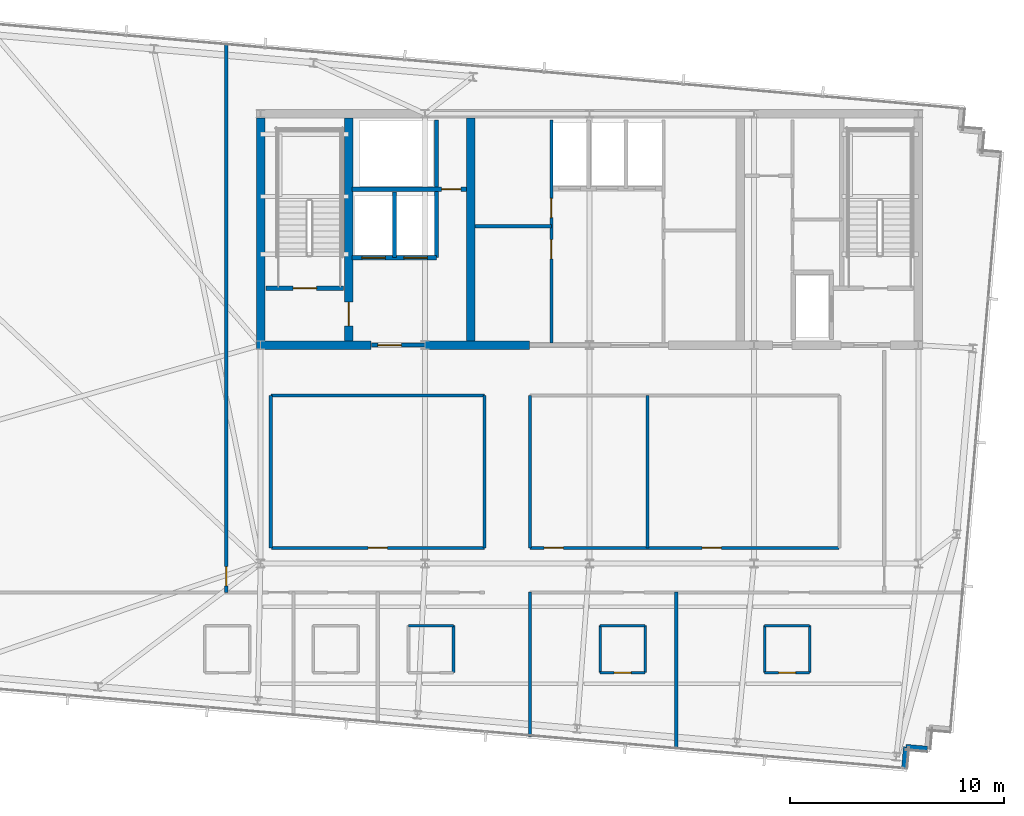
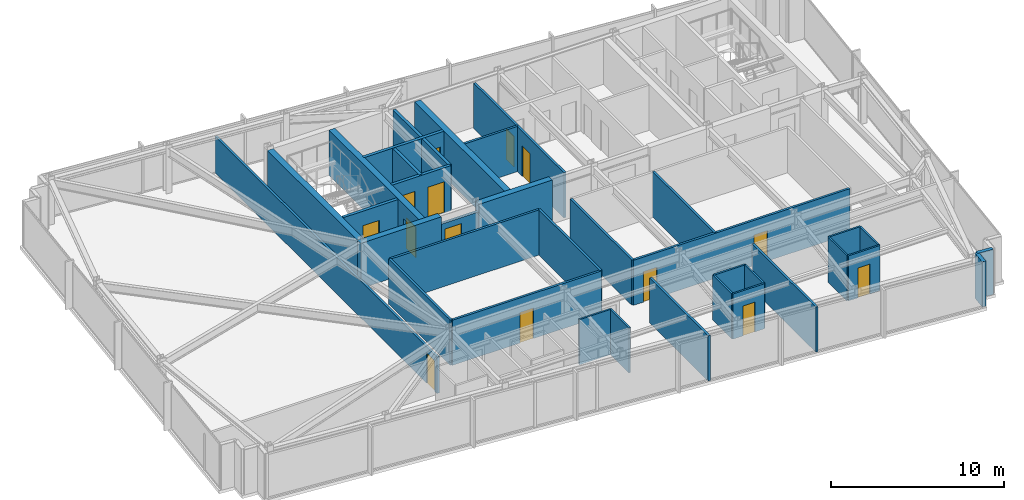
# One storey, part 27 of 33: 35 walls, 14 doors, 14 openings.
"""IFC4 building model written with IfcOpenShell, lengths in metres."""

from ifc_helpers import new_model, si_unit, direction, frame, frame_2d, origin, place, context, subcontext, project, spatial, rectangle, extrude, material, layer, layer_set, type_object, element, fill, save


model = new_model("IFC4")

# Units and contexts
model_context = context("Model", 3, precision=1e-05, world=origin(), true_north=direction((0.0, 1.0)))
body_context = subcontext(model_context, "Body", "Model", "MODEL_VIEW")
ifc_project = project(units=[si_unit("LENGTHUNIT", "METRE"), si_unit("AREAUNIT", "SQUARE_METRE"), si_unit("VOLUMEUNIT", "CUBIC_METRE"), si_unit("PLANEANGLEUNIT", "RADIAN"), si_unit("MASSUNIT", "GRAM", prefix="KILO")], contexts=[model_context])

# Site, building, storey
site_placement = place(None, origin())
site = spatial("IfcSite", under=ifc_project, at=site_placement, CompositionType="ELEMENT")
building_placement = place(site_placement, origin())
building = spatial("IfcBuilding", under=site, at=building_placement, Name="Yelkora Congress Tower", CompositionType="ELEMENT")
storey_placement = place(building_placement, frame((0.0, 0.0, 286.300048828125)))
storey = spatial("IfcBuildingStorey", under=building, at=storey_placement, Name="L80", CompositionType="ELEMENT", Elevation=286.300048828125)

# Walls
ifc_material_1 = material(Name="Concrete C50/60", Category="concrete")
ifc_layer_1 = layer(ifc_material_1, 0.39990234375)
ifc_layer_set_1 = layer_set([ifc_layer_1], Name="Concrete C50/60")
wall_type_1 = type_object("IfcWallType", Name="WALL-CORE-INT-400", PredefinedType="SHEAR", material=ifc_layer_set_1)
wall_1_placement = place(storey_placement, frame((22.840087890625, 35.39990234375, 0.0), z_axis=(0.0, 0.0, 1.0), x_axis=(1.0, 0.0, 0.0)))
element("IfcWall", 1, at=wall_1_placement, inside=storey, type_object=wall_type_1, Name="L80 Rear Core South-West Shear Wall", PredefinedType="SHEAR", context=body_context, shape_type="SweptSolid", body=[
    extrude(rectangle(XDim=5.35986328125, YDim=0.39990234375, at=frame_2d((2.679931640625, 0.0))), origin(), (0.0, 0.0, 1.0), 3.179931640625),
])
wall_2_placement = place(storey_placement, frame((30.719970703125, 35.39990234375, 0.0), z_axis=(0.0, 0.0, 1.0), x_axis=(1.0, 0.0, 0.0)))
element("IfcWall", 2, at=wall_2_placement, inside=storey, type_object=wall_type_1, Name="L80 Rear Core South-Center Shear Pier", PredefinedType="SHEAR", context=body_context, shape_type="SweptSolid", body=[
    extrude(rectangle(XDim=4.880126953125, YDim=0.39990234375, at=frame_2d((2.43994140625, 0.0))), origin(), (0.0, 0.0, 1.0), 3.179931640625),
])
wall_3_placement = place(storey_placement, frame((23.0400390625, 35.60009765625, 0.0), z_axis=(0.0, 0.0, 1.0), x_axis=(0.0, 1.0, 0.0)))
element("IfcWall", 3, at=wall_3_placement, inside=storey, type_object=wall_type_1, Name="L80 Rear Core Cross Shear Wall W", PredefinedType="SHEAR", context=body_context, shape_type="SweptSolid", body=[
    extrude(rectangle(XDim=10.39990234375, YDim=0.39990234375, at=frame_2d((5.199951171875, 0.0))), origin(), (0.0, 0.0, 1.0), 3.179931640625),
])

# Wall, opening, door
wall_4_placement = place(storey_placement, frame((27.14990234375, 35.60009765625, 0.0), z_axis=(0.0, 0.0, 1.0), x_axis=(0.0, 1.0, 0.0)))
wall_4 = element("IfcWall", 4, at=wall_4_placement, inside=storey, type_object=wall_type_1, Name="L80 Rear Core Cross Shear Wall C1", PredefinedType="SHEAR", context=body_context, shape_type="SweptSolid", body=[
    extrude(rectangle(XDim=10.39990234375, YDim=0.39990234375, at=frame_2d((5.199951171875, 0.0))), origin(), (0.0, 0.0, 1.0), 3.179931640625),
])
opening_1_placement = place(wall_4_placement, frame((0.699951171875, 0.0, 0.0)))
opening_1 = element("IfcOpeningElement", 5, at=opening_1_placement, cuts=wall_4, Name="Opening DR-110F9", PredefinedType="OPENING", context=body_context, shape_type="SweptSolid", body=[
    extrude(rectangle(XDim=1.10009765625, YDim=2.14990234375, at=frame_2d((0.550048828125, 1.074951171875))), frame((0.0, 0.2099609375, 0.0), z_axis=(0.0, -1.0, 0.0), x_axis=(1.0, 0.0, 0.0)), (0.0, 0.0, 1.0), 0.419921875),
])
ifc_material_2 = material(Name="Galvanised steel fire door leaf", Category="steel")
door_type_1 = type_object("IfcDoorType", Name="DOOR-FD90-1100", OperationType="NOTDEFINED", PredefinedType="DOOR", material=ifc_material_2)
door_1_placement = place(opening_1_placement, origin())
door_1 = element("IfcDoor", 6, at=door_1_placement, inside=storey, type_object=door_type_1, Name="L80 Firefighting Stair Transfer Door", OperationType="SINGLE_SWING_LEFT", OverallHeight=2.14990234375, OverallWidth=1.10009765625, PredefinedType="DOOR", context=body_context, shape_type="SweptSolid", body=[
    extrude(rectangle(XDim=1.10009765625, YDim=2.14990234375, at=frame_2d((0.550048828125, 1.074951171875))), frame((0.0, 0.02490234375, 0.0), z_axis=(0.0, -1.0, 0.0), x_axis=(1.0, 0.0, 0.0)), (0.0, 0.0, 1.0), 0.050048828125),
])
fill(opening_1, door_1)

# Walls
wall_5_placement = place(storey_placement, frame((32.85009765625, 35.60009765625, 0.0), z_axis=(0.0, 0.0, 1.0), x_axis=(0.0, 1.0, 0.0)))
element("IfcWall", 7, at=wall_5_placement, inside=storey, type_object=wall_type_1, Name="L80 Rear Core Cross Shear Wall C2", PredefinedType="SHEAR", context=body_context, shape_type="SweptSolid", body=[
    extrude(rectangle(XDim=10.39990234375, YDim=0.39990234375, at=frame_2d((5.199951171875, 0.0))), origin(), (0.0, 0.0, 1.0), 3.179931640625),
])
ifc_material_3 = material(Name="Concrete C40/50", Category="concrete")
ifc_layer_2 = layer(ifc_material_3, 0.239990234375)
ifc_layer_set_2 = layer_set([ifc_layer_2], Name="Concrete C40/50")
wall_type_2 = type_object("IfcWallType", Name="WALL-EXT-LIMESTONE-240", PredefinedType="SOLIDWALL", material=ifc_layer_set_2)
for number, where, z_axis, x_axis, name in (
    (8, (54.174560546875, 16.5498046875, 0.0), (0.0, 0.0, 1.0), (-0.996195572005, 0.087145753297, 0.0), "L80 Serrated Corner Limestone Pier 18"),
    (9, (53.17822265625, 16.636962890625, 0.0), (0.0, 0.0, 1.0), (-0.087145753297, -0.996195572005, 0.0), "L80 Serrated Corner Limestone Pier 19"),
):
    element("IfcWall", number, at=place(storey_placement, frame(where, z_axis=z_axis, x_axis=x_axis)), inside=storey, type_object=wall_type_2, Name=name, PredefinedType="SOLIDWALL", context=body_context, shape_type="SweptSolid", body=[
        extrude(rectangle(XDim=1.000244140625, YDim=0.239990234375, at=frame_2d((0.5, 0.0))), origin(), (0.0, 0.0, 1.0), 3.179931640625),
    ])
ifc_material_4 = material(Name="Moisture-resistant gypsum partition", Category="gypsum")
ifc_layer_3 = layer(ifc_material_4, 0.1201171875)
ifc_layer_set_3 = layer_set([ifc_layer_3], Name="Moisture-resistant gypsum partition")
wall_type_3 = type_object("IfcWallType", Name="WALL-INT-120-NR", PredefinedType="PARTITIONING", material=ifc_layer_set_3)
wall_6_placement = place(storey_placement, frame((29.949951171875, 22.300048828125, 0.0), z_axis=(0.0, 0.0, 1.0), x_axis=(1.0, 0.0, 0.0)))
element("IfcWall", 10, at=wall_6_placement, inside=storey, type_object=wall_type_3, Name="L80 Partition Wall 32", PredefinedType="PARTITIONING", context=body_context, shape_type="SweptSolid", body=[
    extrude(rectangle(XDim=2.10009765625, YDim=0.1201171875, at=frame_2d((1.050048828125, 0.0))), origin(), (0.0, 0.0, 1.0), 3.179931640625),
])
wall_7_placement = place(storey_placement, frame((32.050048828125, 20.10009765625, 0.0), z_axis=(0.0, 0.0, 1.0), x_axis=(0.0, 1.0, 0.0)))
element("IfcWall", 11, at=wall_7_placement, inside=storey, type_object=wall_type_3, Name="L80 Partition Wall 34", PredefinedType="PARTITIONING", context=body_context, shape_type="SweptSolid", body=[
    extrude(rectangle(XDim=2.199951171875, YDim=0.1201171875, at=frame_2d((1.10009765625, 0.0))), origin(), (0.0, 0.0, 1.0), 3.179931640625),
])
wall_8_placement = place(storey_placement, frame((38.89990234375, 22.300048828125, 0.0), z_axis=(0.0, 0.0, 1.0), x_axis=(1.0, 0.0, 0.0)))
element("IfcWall", 12, at=wall_8_placement, inside=storey, type_object=wall_type_3, Name="L80 Partition Wall 37", PredefinedType="PARTITIONING", context=body_context, shape_type="SweptSolid", body=[
    extrude(rectangle(XDim=2.10009765625, YDim=0.1201171875, at=frame_2d((1.050048828125, 0.0))), origin(), (0.0, 0.0, 1.0), 3.179931640625),
])
for number, where, z_axis, x_axis, name in (
    (13, (38.89990234375, 20.10009765625, 0.0), (0.0, 0.0, 1.0), (0.0, 1.0, 0.0), "L80 Partition Wall 38"),
    (14, (41.0, 20.10009765625, 0.0), (0.0, 0.0, 1.0), (0.0, 1.0, 0.0), "L80 Partition Wall 39"),
):
    element("IfcWall", number, at=place(storey_placement, frame(where, z_axis=z_axis, x_axis=x_axis)), inside=storey, type_object=wall_type_3, Name=name, PredefinedType="PARTITIONING", context=body_context, shape_type="SweptSolid", body=[
        extrude(rectangle(XDim=2.199951171875, YDim=0.1201171875, at=frame_2d((1.10009765625, 0.0))), origin(), (0.0, 0.0, 1.0), 3.179931640625),
    ])

# Wall, opening, door
wall_9_placement = place(storey_placement, frame((38.89990234375, 20.10009765625, 0.0), z_axis=(0.0, 0.0, 1.0), x_axis=(1.0, 0.0, 0.0)))
wall_9 = element("IfcWall", 15, at=wall_9_placement, inside=storey, type_object=wall_type_3, Name="L80 Partition Wall 40", PredefinedType="PARTITIONING", context=body_context, shape_type="SweptSolid", body=[
    extrude(rectangle(XDim=2.10009765625, YDim=0.1201171875, at=frame_2d((1.050048828125, 0.0))), origin(), (0.0, 0.0, 1.0), 3.179931640625),
])
opening_2_placement = place(wall_9_placement, frame((0.64990234375, 0.0, 0.0)))
opening_2 = element("IfcOpeningElement", 16, at=opening_2_placement, cuts=wall_9, Name="Opening DR-080B", PredefinedType="OPENING", context=body_context, shape_type="SweptSolid", body=[
    extrude(rectangle(XDim=0.800048828125, YDim=2.10009765625, at=frame_2d((0.39990234375, 1.050048828125))), frame((0.0, 0.070068359375, 0.0), z_axis=(0.0, -1.0, 0.0), x_axis=(1.0, 0.0, 0.0)), (0.0, 0.0, 1.0), 0.14013671875),
])
ifc_material_5 = material(Name="Moisture-sealed en-suite timber door", Category="wood")
door_type_2 = type_object("IfcDoorType", Name="DOOR-BATH-800", OperationType="NOTDEFINED", PredefinedType="DOOR", material=ifc_material_5)
door_2_placement = place(opening_2_placement, origin())
door_2 = element("IfcDoor", 17, at=door_2_placement, inside=storey, type_object=door_type_2, Name="L80 En-suite Door 5", OperationType="SINGLE_SWING_LEFT", OverallHeight=2.10009765625, OverallWidth=0.800048828125, PredefinedType="DOOR", context=body_context, shape_type="SweptSolid", body=[
    extrude(rectangle(XDim=0.800048828125, YDim=2.10009765625, at=frame_2d((0.39990234375, 1.050048828125))), frame((0.0, 0.02490234375, 0.0), z_axis=(0.0, -1.0, 0.0), x_axis=(1.0, 0.0, 0.0)), (0.0, 0.0, 1.0), 0.050048828125),
])
fill(opening_2, door_2)

# Walls
wall_10_placement = place(storey_placement, frame((46.580078125, 22.300048828125, 0.0), z_axis=(0.0, 0.0, 1.0), x_axis=(1.0, 0.0, 0.0)))
element("IfcWall", 18, at=wall_10_placement, inside=storey, type_object=wall_type_3, Name="L80 Partition Wall 42", PredefinedType="PARTITIONING", context=body_context, shape_type="SweptSolid", body=[
    extrude(rectangle(XDim=2.099853515625, YDim=0.1201171875, at=frame_2d((1.0498046875, 0.0))), origin(), (0.0, 0.0, 1.0), 3.179931640625),
])
for number, where, z_axis, x_axis, name in (
    (19, (46.580078125, 20.10009765625, 0.0), (0.0, 0.0, 1.0), (0.0, 1.0, 0.0), "L80 Partition Wall 43"),
    (20, (48.679931640625, 20.10009765625, 0.0), (0.0, 0.0, 1.0), (0.0, 1.0, 0.0), "L80 Partition Wall 44"),
):
    element("IfcWall", number, at=place(storey_placement, frame(where, z_axis=z_axis, x_axis=x_axis)), inside=storey, type_object=wall_type_3, Name=name, PredefinedType="PARTITIONING", context=body_context, shape_type="SweptSolid", body=[
        extrude(rectangle(XDim=2.199951171875, YDim=0.1201171875, at=frame_2d((1.10009765625, 0.0))), origin(), (0.0, 0.0, 1.0), 3.179931640625),
    ])

# Wall, opening, door
wall_11_placement = place(storey_placement, frame((46.580078125, 20.10009765625, 0.0), z_axis=(0.0, 0.0, 1.0), x_axis=(1.0, 0.0, 0.0)))
wall_11 = element("IfcWall", 21, at=wall_11_placement, inside=storey, type_object=wall_type_3, Name="L80 Partition Wall 45", PredefinedType="PARTITIONING", context=body_context, shape_type="SweptSolid", body=[
    extrude(rectangle(XDim=2.099853515625, YDim=0.1201171875, at=frame_2d((1.0498046875, 0.0))), origin(), (0.0, 0.0, 1.0), 3.179931640625),
])
opening_3_placement = place(wall_11_placement, frame((0.64990234375, 0.0, 0.0)))
opening_3 = element("IfcOpeningElement", 22, at=opening_3_placement, cuts=wall_11, Name="Opening DR-080B", PredefinedType="OPENING", context=body_context, shape_type="SweptSolid", body=[
    extrude(rectangle(XDim=0.800048828125, YDim=2.10009765625, at=frame_2d((0.39990234375, 1.050048828125))), frame((0.0, 0.070068359375, 0.0), z_axis=(0.0, -1.0, 0.0), x_axis=(1.0, 0.0, 0.0)), (0.0, 0.0, 1.0), 0.14013671875),
])
door_3_placement = place(opening_3_placement, origin())
door_3 = element("IfcDoor", 23, at=door_3_placement, inside=storey, type_object=door_type_2, Name="L80 En-suite Door 6", OperationType="SINGLE_SWING_RIGHT", OverallHeight=2.10009765625, OverallWidth=0.800048828125, PredefinedType="DOOR", context=body_context, shape_type="SweptSolid", body=[
    extrude(rectangle(XDim=0.800048828125, YDim=2.10009765625, at=frame_2d((0.39990234375, 1.050048828125))), frame((0.0, 0.02490234375, 0.0), z_axis=(0.0, -1.0, 0.0), x_axis=(1.0, 0.0, 0.0)), (0.0, 0.0, 1.0), 0.050048828125),
])
fill(opening_3, door_3)

ifc_material_6 = material(Name="Acoustic metal-stud gypsum partition", Category="gypsum")
ifc_layer_4 = layer(ifc_material_6, 0.14990234375)
ifc_layer_set_4 = layer_set([ifc_layer_4], Name="Acoustic metal-stud gypsum partition")
wall_type_4 = type_object("IfcWallType", Name="WALL-INT-150-NR", PredefinedType="PARTITIONING", material=ifc_layer_set_4)
wall_12_placement = place(storey_placement, frame((21.43994140625, 23.85009765625, 0.0), z_axis=(0.0, 0.0, 1.0), x_axis=(0.0, 1.0, 0.0)))
wall_12 = element("IfcWall", 24, at=wall_12_placement, inside=storey, type_object=wall_type_4, Name="L80 Partition Wall 49", PredefinedType="PARTITIONING", context=body_context, shape_type="SweptSolid", body=[
    extrude(rectangle(XDim=25.658203125, YDim=0.14990234375, at=frame_2d((12.8291015625, 0.0))), origin(), (0.0, 0.0, 1.0), 2.574951171875),
])
opening_4_placement = place(wall_12_placement, frame((0.300048828125, 0.0, 0.0)))
opening_4 = element("IfcOpeningElement", 25, at=opening_4_placement, cuts=wall_12, Name="Opening DR-090N", PredefinedType="OPENING", context=body_context, shape_type="SweptSolid", body=[
    extrude(rectangle(XDim=0.89990234375, YDim=2.14990234375, at=frame_2d((0.449951171875, 1.074951171875))), frame((0.0, 0.0849609375, 0.0), z_axis=(0.0, -1.0, 0.0), x_axis=(1.0, 0.0, 0.0)), (0.0, 0.0, 1.0), 0.169921875),
])
ifc_material_7 = material(Name="Moisture-resistant laminate door leaf", Category="wood")
door_type_3 = type_object("IfcDoorType", Name="DOOR-INT-900", OperationType="NOTDEFINED", PredefinedType="DOOR", material=ifc_material_7)
door_4_placement = place(opening_4_placement, origin())
door_4 = element("IfcDoor", 26, at=door_4_placement, inside=storey, type_object=door_type_3, Name="L80 W Wing Door", OperationType="SINGLE_SWING_RIGHT", OverallHeight=2.14990234375, OverallWidth=0.89990234375, PredefinedType="DOOR", context=body_context, shape_type="SweptSolid", body=[
    extrude(rectangle(XDim=0.89990234375, YDim=2.14990234375, at=frame_2d((0.449951171875, 1.074951171875))), frame((0.0, 0.02490234375, 0.0), z_axis=(0.0, -1.0, 0.0), x_axis=(1.0, 0.0, 0.0)), (0.0, 0.0, 1.0), 0.050048828125),
])
fill(opening_4, door_4)

# Walls
for number, where, z_axis, x_axis, name in (
    (27, (23.52001953125, 25.929931640625, 0.0), (0.0, 0.0, 1.0), (0.0, 1.0, 0.0), "L80 Partition Wall 51"),
    (28, (33.5, 25.929931640625, 0.0), (0.0, 0.0, 1.0), (0.0, 1.0, 0.0), "L80 Partition Wall 53"),
    (29, (35.6201171875, 25.929931640625, 0.0), (0.0, 0.0, 1.0), (0.0, 1.0, 0.0), "L80 Partition Wall 54"),
):
    element("IfcWall", number, at=place(storey_placement, frame(where, z_axis=z_axis, x_axis=x_axis)), inside=storey, type_object=wall_type_4, Name=name, PredefinedType="PARTITIONING", context=body_context, shape_type="SweptSolid", body=[
        extrude(rectangle(XDim=7.1201171875, YDim=0.14990234375, at=frame_2d((3.56005859375, 0.0))), origin(), (0.0, 0.0, 1.0), 3.179931640625),
    ])
wall_13_placement = place(storey_placement, frame((23.52001953125, 33.050048828125, 0.0), z_axis=(0.0, 0.0, 1.0), x_axis=(1.0, 0.0, 0.0)))
element("IfcWall", 30, at=wall_13_placement, inside=storey, type_object=wall_type_4, Name="L80 Partition Wall 55", PredefinedType="PARTITIONING", context=body_context, shape_type="SweptSolid", body=[
    extrude(rectangle(XDim=9.97998046875, YDim=0.14990234375, at=frame_2d((4.989990234375, 0.0))), origin(), (0.0, 0.0, 1.0), 3.179931640625),
])

# Wall, opening, door
wall_14_placement = place(storey_placement, frame((23.5400390625, 25.929931640625, 0.0), z_axis=(0.0, 0.0, 1.0), x_axis=(1.0, 0.0, 0.0)))
wall_14 = element("IfcWall", 31, at=wall_14_placement, inside=storey, type_object=wall_type_4, Name="L80 Partition Wall 57", PredefinedType="PARTITIONING", context=body_context, shape_type="SweptSolid", body=[
    extrude(rectangle(XDim=9.949951171875, YDim=0.14990234375, at=frame_2d((4.97509765625, 0.0))), origin(), (0.0, 0.0, 1.0), 3.179931640625),
])
opening_5_placement = place(wall_14_placement, frame((4.52490234375, 0.0, 0.0)))
opening_5 = element("IfcOpeningElement", 32, at=opening_5_placement, cuts=wall_14, Name="Opening DR-090N", PredefinedType="OPENING", context=body_context, shape_type="SweptSolid", body=[
    extrude(rectangle(XDim=0.89990234375, YDim=2.14990234375, at=frame_2d((0.449951171875, 1.074951171875))), frame((0.0, 0.0849609375, 0.0), z_axis=(0.0, -1.0, 0.0), x_axis=(1.0, 0.0, 0.0)), (0.0, 0.0, 1.0), 0.169921875),
])
door_5_placement = place(opening_5_placement, origin())
door_5 = element("IfcDoor", 33, at=door_5_placement, inside=storey, type_object=door_type_3, Name="L80 Housekeeping & Linen Room Door", OperationType="SINGLE_SWING_RIGHT", OverallHeight=2.14990234375, OverallWidth=0.89990234375, PredefinedType="DOOR", context=body_context, shape_type="SweptSolid", body=[
    extrude(rectangle(XDim=0.89990234375, YDim=2.14990234375, at=frame_2d((0.449951171875, 1.074951171875))), frame((0.0, 0.02490234375, 0.0), z_axis=(0.0, -1.0, 0.0), x_axis=(1.0, 0.0, 0.0)), (0.0, 0.0, 1.0), 0.050048828125),
])
fill(opening_5, door_5)

# Wall
wall_15_placement = place(storey_placement, frame((41.113037109375, 25.929931640625, 0.0), z_axis=(0.0, 0.0, 1.0), x_axis=(0.0, 1.0, 0.0)))
element("IfcWall", 34, at=wall_15_placement, inside=storey, type_object=wall_type_4, Name="L80 Partition Wall 58", PredefinedType="PARTITIONING", context=body_context, shape_type="SweptSolid", body=[
    extrude(rectangle(XDim=7.1201171875, YDim=0.14990234375, at=frame_2d((3.56005859375, 0.0))), origin(), (0.0, 0.0, 1.0), 3.179931640625),
])

# Wall, openings, doors
wall_16_placement = place(storey_placement, frame((35.6298828125, 25.929931640625, 0.0), z_axis=(0.0, 0.0, 1.0), x_axis=(1.0, 0.0, 0.0)))
wall_16 = element("IfcWall", 35, at=wall_16_placement, inside=storey, type_object=wall_type_4, Name="L80 Partition Wall 59", PredefinedType="PARTITIONING", context=body_context, shape_type="SweptSolid", body=[
    extrude(rectangle(XDim=14.43017578125, YDim=0.14990234375, at=frame_2d((7.215087890625, 0.0))), origin(), (0.0, 0.0, 1.0), 3.179931640625),
])
opening_6_placement = place(wall_16_placement, frame((0.64990234375, 0.0, 0.0)))
opening_6 = element("IfcOpeningElement", 36, at=opening_6_placement, cuts=wall_16, Name="Opening DR-090N", PredefinedType="OPENING", context=body_context, shape_type="SweptSolid", body=[
    extrude(rectangle(XDim=0.89990234375, YDim=2.14990234375, at=frame_2d((0.449951171875, 1.074951171875))), frame((0.0, 0.0849609375, 0.0), z_axis=(0.0, -1.0, 0.0), x_axis=(1.0, 0.0, 0.0)), (0.0, 0.0, 1.0), 0.169921875),
])
opening_7_placement = place(wall_16_placement, frame((8.030517578125, 0.0, 0.0)))
opening_7 = element("IfcOpeningElement", 37, at=opening_7_placement, cuts=wall_16, Name="Opening DR-090N", PredefinedType="OPENING", context=body_context, shape_type="SweptSolid", body=[
    extrude(rectangle(XDim=0.89990234375, YDim=2.14990234375, at=frame_2d((0.449951171875, 1.074951171875))), frame((0.0, 0.0849609375, 0.0), z_axis=(0.0, -1.0, 0.0), x_axis=(1.0, 0.0, 0.0)), (0.0, 0.0, 1.0), 0.169921875),
])
door_6_placement = place(opening_6_placement, origin())
door_6 = element("IfcDoor", 38, at=door_6_placement, inside=storey, type_object=door_type_3, Name="L80 Executive Library Door", OperationType="SINGLE_SWING_LEFT", OverallHeight=2.14990234375, OverallWidth=0.89990234375, PredefinedType="DOOR", context=body_context, shape_type="SweptSolid", body=[
    extrude(rectangle(XDim=0.89990234375, YDim=2.14990234375, at=frame_2d((0.449951171875, 1.074951171875))), frame((0.0, 0.02490234375, 0.0), z_axis=(0.0, -1.0, 0.0), x_axis=(1.0, 0.0, 0.0)), (0.0, 0.0, 1.0), 0.050048828125),
])
fill(opening_6, door_6)
door_7_placement = place(opening_7_placement, origin())
door_7 = element("IfcDoor", 39, at=door_7_placement, inside=storey, type_object=door_type_3, Name="L80 Delegate Kiosk Door", OperationType="SINGLE_SWING_RIGHT", OverallHeight=2.14990234375, OverallWidth=0.89990234375, PredefinedType="DOOR", context=body_context, shape_type="SweptSolid", body=[
    extrude(rectangle(XDim=0.89990234375, YDim=2.14990234375, at=frame_2d((0.449951171875, 1.074951171875))), frame((0.0, 0.02490234375, 0.0), z_axis=(0.0, -1.0, 0.0), x_axis=(1.0, 0.0, 0.0)), (0.0, 0.0, 1.0), 0.050048828125),
])
fill(opening_7, door_7)

# Wall
ifc_material_8 = material(Name="Twin-stud fire-rated gypsum partition", Category="gypsum")
ifc_layer_5 = layer(ifc_material_8, 0.14990234375)
ifc_layer_set_5 = layer_set([ifc_layer_5], Name="Twin-stud fire-rated gypsum partition")
wall_type_5 = type_object("IfcWallType", Name="WALL-INT-150-R60", PredefinedType="PARTITIONING", material=ifc_layer_set_5)
wall_17_placement = place(storey_placement, frame((33.050048828125, 40.949951171875, 0.0), z_axis=(0.0, 0.0, 1.0), x_axis=(1.0, 0.0, 0.0)))
element("IfcWall", 40, at=wall_17_placement, inside=storey, type_object=wall_type_5, Name="L80 Partition Wall 11", PredefinedType="PARTITIONING", context=body_context, shape_type="SweptSolid", body=[
    extrude(rectangle(XDim=3.570068359375, YDim=0.14990234375, at=frame_2d((1.78515625, 0.0))), origin(), (0.0, 0.0, 1.0), 3.179931640625),
])

# Wall, openings, doors
wall_18_placement = place(storey_placement, frame((36.6201171875, 35.5, 0.0), z_axis=(0.0, 0.0, 1.0), x_axis=(0.0, 1.0, 0.0)))
wall_18 = element("IfcWall", 41, at=wall_18_placement, inside=storey, type_object=wall_type_5, Name="L80 Partition Wall 12", PredefinedType="PARTITIONING", context=body_context, shape_type="SweptSolid", body=[
    extrude(rectangle(XDim=10.419921875, YDim=0.14990234375, at=frame_2d((5.2099609375, 0.0))), origin(), (0.0, 0.0, 1.0), 3.179931640625),
])
opening_8_placement = place(wall_18_placement, frame((3.919921875, 0.0, 0.0)))
opening_8 = element("IfcOpeningElement", 42, at=opening_8_placement, cuts=wall_18, Name="Opening DR-090F6", PredefinedType="OPENING", context=body_context, shape_type="SweptSolid", body=[
    extrude(rectangle(XDim=0.89990234375, YDim=2.14990234375, at=frame_2d((0.449951171875, 1.074951171875))), frame((0.0, 0.0849609375, 0.0), z_axis=(0.0, -1.0, 0.0), x_axis=(1.0, 0.0, 0.0)), (0.0, 0.0, 1.0), 0.169921875),
])
opening_9_placement = place(wall_18_placement, frame((5.85009765625, 0.0, 0.0)))
opening_9 = element("IfcOpeningElement", 43, at=opening_9_placement, cuts=wall_18, Name="Opening DR-090F6", PredefinedType="OPENING", context=body_context, shape_type="SweptSolid", body=[
    extrude(rectangle(XDim=0.89990234375, YDim=2.14990234375, at=frame_2d((0.449951171875, 1.074951171875))), frame((0.0, 0.0849609375, 0.0), z_axis=(0.0, -1.0, 0.0), x_axis=(1.0, 0.0, 0.0)), (0.0, 0.0, 1.0), 0.169921875),
])
ifc_material_9 = material(Name="Painted steel riser fire door leaf", Category="steel")
door_type_4 = type_object("IfcDoorType", Name="DOOR-FD60-900", OperationType="NOTDEFINED", PredefinedType="DOOR", material=ifc_material_9)
door_8_placement = place(opening_8_placement, origin())
door_8 = element("IfcDoor", 44, at=door_8_placement, inside=storey, type_object=door_type_4, Name="L80 Telecom Store Door", OperationType="SINGLE_SWING_RIGHT", OverallHeight=2.14990234375, OverallWidth=0.89990234375, PredefinedType="DOOR", context=body_context, shape_type="SweptSolid", body=[
    extrude(rectangle(XDim=0.89990234375, YDim=2.14990234375, at=frame_2d((0.449951171875, 1.074951171875))), frame((0.0, 0.02490234375, 0.0), z_axis=(0.0, -1.0, 0.0), x_axis=(1.0, 0.0, 0.0)), (0.0, 0.0, 1.0), 0.050048828125),
])
fill(opening_8, door_8)
door_9_placement = place(opening_9_placement, origin())
door_9 = element("IfcDoor", 45, at=door_9_placement, inside=storey, type_object=door_type_4, Name="L80 Archive Store Door", OperationType="SINGLE_SWING_LEFT", OverallHeight=2.14990234375, OverallWidth=0.89990234375, PredefinedType="DOOR", context=body_context, shape_type="SweptSolid", body=[
    extrude(rectangle(XDim=0.89990234375, YDim=2.14990234375, at=frame_2d((0.449951171875, 1.074951171875))), frame((0.0, 0.02490234375, 0.0), z_axis=(0.0, -1.0, 0.0), x_axis=(1.0, 0.0, 0.0)), (0.0, 0.0, 1.0), 0.050048828125),
])
fill(opening_9, door_9)

# Walls
wall_19_placement = place(storey_placement, frame((35.6201171875, 17.10888671875, 0.0), z_axis=(0.0, 0.0, 1.0), x_axis=(0.0, 1.0, 0.0)))
element("IfcWall", 46, at=wall_19_placement, inside=storey, type_object=wall_type_5, Name="L80 Partition Wall 41", PredefinedType="PARTITIONING", context=body_context, shape_type="SweptSolid", body=[
    extrude(rectangle(XDim=6.76123046875, YDim=0.14990234375, at=frame_2d((3.380615234375, 0.0))), origin(), (0.0, 0.0, 1.0), 3.179931640625),
])
wall_20_placement = place(storey_placement, frame((42.4560546875, 16.510986328125, 0.0), z_axis=(0.0, 0.0, 1.0), x_axis=(0.0, 1.0, 0.0)))
element("IfcWall", 47, at=wall_20_placement, inside=storey, type_object=wall_type_5, Name="L80 Partition Wall 46", PredefinedType="PARTITIONING", context=body_context, shape_type="SweptSolid", body=[
    extrude(rectangle(XDim=7.359130859375, YDim=0.14990234375, at=frame_2d((3.6796875, 0.0))), origin(), (0.0, 0.0, 1.0), 3.179931640625),
])

# Wall, opening, door
ifc_material_10 = material(Name="Autoclaved aerated concrete blockwork", Category="masonry")
ifc_layer_6 = layer(ifc_material_10, 0.199951171875)
ifc_layer_set_6 = layer_set([ifc_layer_6], Name="Autoclaved aerated concrete blockwork")
wall_type_6 = type_object("IfcWallType", Name="WALL-INT-200-R120", PredefinedType="PARTITIONING", material=ifc_layer_set_6)
wall_21_placement = place(storey_placement, frame((23.300048828125, 38.050048828125, 0.0), z_axis=(0.0, 0.0, 1.0), x_axis=(1.0, 0.0, 0.0)))
wall_21 = element("IfcWall", 48, at=wall_21_placement, inside=storey, type_object=wall_type_6, Name="L80 Stair ST-01 Enclosure Wall", PredefinedType="PARTITIONING", context=body_context, shape_type="SweptSolid", body=[
    extrude(rectangle(XDim=3.619873046875, YDim=0.199951171875, at=frame_2d((1.81005859375, 0.0))), origin(), (0.0, 0.0, 1.0), 3.179931640625),
])
opening_10_placement = place(wall_21_placement, frame((1.260009765625, 0.0, 0.0)))
opening_10 = element("IfcOpeningElement", 49, at=opening_10_placement, cuts=wall_21, Name="Opening DR-110F9", PredefinedType="OPENING", context=body_context, shape_type="SweptSolid", body=[
    extrude(rectangle(XDim=1.10009765625, YDim=2.14990234375, at=frame_2d((0.550048828125, 1.074951171875))), frame((0.0, 0.10986328125, 0.0), z_axis=(0.0, -1.0, 0.0), x_axis=(1.0, 0.0, 0.0)), (0.0, 0.0, 1.0), 0.219970703125),
])
door_10_placement = place(opening_10_placement, origin())
door_10 = element("IfcDoor", 50, at=door_10_placement, inside=storey, type_object=door_type_1, Name="L80 Stair ST-01 Entry Door", OperationType="SINGLE_SWING_LEFT", OverallHeight=2.14990234375, OverallWidth=1.10009765625, PredefinedType="DOOR", context=body_context, shape_type="SweptSolid", body=[
    extrude(rectangle(XDim=1.10009765625, YDim=2.14990234375, at=frame_2d((0.550048828125, 1.074951171875))), frame((0.0, 0.02490234375, 0.0), z_axis=(0.0, -1.0, 0.0), x_axis=(1.0, 0.0, 0.0)), (0.0, 0.0, 1.0), 0.050048828125),
])
fill(opening_10, door_10)

wall_22_placement = place(storey_placement, frame((28.219970703125, 35.39990234375, 0.0), z_axis=(0.0, 0.0, 1.0), x_axis=(1.0, 0.0, 0.0)))
wall_22 = element("IfcWall", 51, at=wall_22_placement, inside=storey, type_object=wall_type_6, Name="L80 Firefighting Lobby South Wall", PredefinedType="PARTITIONING", context=body_context, shape_type="SweptSolid", body=[
    extrude(rectangle(XDim=2.5, YDim=0.199951171875, at=frame_2d((1.25, 0.0))), origin(), (0.0, 0.0, 1.0), 2.574951171875),
])
opening_11_placement = place(wall_22_placement, frame((0.300048828125, 0.0, 0.0)))
opening_11 = element("IfcOpeningElement", 52, at=opening_11_placement, cuts=wall_22, Name="Opening DR-110F9", PredefinedType="OPENING", context=body_context, shape_type="SweptSolid", body=[
    extrude(rectangle(XDim=1.10009765625, YDim=2.14990234375, at=frame_2d((0.550048828125, 1.074951171875))), frame((0.0, 0.10986328125, 0.0), z_axis=(0.0, -1.0, 0.0), x_axis=(1.0, 0.0, 0.0)), (0.0, 0.0, 1.0), 0.219970703125),
])
door_11_placement = place(opening_11_placement, origin())
door_11 = element("IfcDoor", 53, at=door_11_placement, inside=storey, type_object=door_type_1, Name="L80 Firefighting Lobby Corridor Door", OperationType="SINGLE_SWING_RIGHT", OverallHeight=2.14990234375, OverallWidth=1.10009765625, PredefinedType="DOOR", context=body_context, shape_type="SweptSolid", body=[
    extrude(rectangle(XDim=1.10009765625, YDim=2.14990234375, at=frame_2d((0.550048828125, 1.074951171875))), frame((0.0, 0.02490234375, 0.0), z_axis=(0.0, -1.0, 0.0), x_axis=(1.0, 0.0, 0.0)), (0.0, 0.0, 1.0), 0.050048828125),
])
fill(opening_11, door_11)

# Wall, openings, doors
wall_23_placement = place(storey_placement, frame((27.320068359375, 39.47998046875, 0.0), z_axis=(0.0, 0.0, 1.0), x_axis=(1.0, 0.0, 0.0)))
wall_23 = element("IfcWall", 54, at=wall_23_placement, inside=storey, type_object=wall_type_6, Name="L80 Firefighting Lift Front Wall", PredefinedType="PARTITIONING", context=body_context, shape_type="SweptSolid", body=[
    extrude(rectangle(XDim=3.93994140625, YDim=0.199951171875, at=frame_2d((1.969970703125, 0.0))), origin(), (0.0, 0.0, 1.0), 3.179931640625),
])
opening_12_placement = place(wall_23_placement, frame((0.449951171875, 0.0, 0.0)))
opening_12 = element("IfcOpeningElement", 55, at=opening_12_placement, cuts=wall_23, Name="Opening LD-FF11", PredefinedType="OPENING", context=body_context, shape_type="SweptSolid", body=[
    extrude(rectangle(XDim=1.10009765625, YDim=2.199951171875, at=frame_2d((0.550048828125, 1.10009765625))), frame((0.0, 0.10986328125, 0.0), z_axis=(0.0, -1.0, 0.0), x_axis=(1.0, 0.0, 0.0)), (0.0, 0.0, 1.0), 0.219970703125),
])
opening_13_placement = place(wall_23_placement, frame((2.409912109375, 0.0, 0.0)))
opening_13 = element("IfcOpeningElement", 56, at=opening_13_placement, cuts=wall_23, Name="Opening LD-FF11", PredefinedType="OPENING", context=body_context, shape_type="SweptSolid", body=[
    extrude(rectangle(XDim=1.10009765625, YDim=2.199951171875, at=frame_2d((0.550048828125, 1.10009765625))), frame((0.0, 0.10986328125, 0.0), z_axis=(0.0, -1.0, 0.0), x_axis=(1.0, 0.0, 0.0)), (0.0, 0.0, 1.0), 0.219970703125),
])
ifc_material_11 = material(Name="Brushed stainless steel 316L landing door", Category="steel")
door_type_5 = type_object("IfcDoorType", Name="DOOR-LIFT-FF-1100", OperationType="DOUBLE_DOOR_SLIDING", PredefinedType="DOOR", material=ifc_material_11)
door_12_placement = place(opening_12_placement, origin())
door_12 = element("IfcDoor", 57, at=door_12_placement, inside=storey, type_object=door_type_5, Name="Lift Landing Door LF-FF1 L80", OperationType="DOUBLE_DOOR_SLIDING", OverallHeight=2.199951171875, OverallWidth=1.10009765625, PredefinedType="DOOR", context=body_context, shape_type="SweptSolid", body=[
    extrude(rectangle(XDim=1.10009765625, YDim=2.199951171875, at=frame_2d((0.550048828125, 1.10009765625))), frame((0.0, 0.02490234375, 0.0), z_axis=(0.0, -1.0, 0.0), x_axis=(1.0, 0.0, 0.0)), (0.0, 0.0, 1.0), 0.050048828125),
])
fill(opening_12, door_12)
door_13_placement = place(opening_13_placement, origin())
door_13 = element("IfcDoor", 58, at=door_13_placement, inside=storey, type_object=door_type_5, Name="Lift Landing Door LF-FF2 L80", OperationType="DOUBLE_DOOR_SLIDING", OverallHeight=2.199951171875, OverallWidth=1.10009765625, PredefinedType="DOOR", context=body_context, shape_type="SweptSolid", body=[
    extrude(rectangle(XDim=1.10009765625, YDim=2.199951171875, at=frame_2d((0.550048828125, 1.10009765625))), frame((0.0, 0.02490234375, 0.0), z_axis=(0.0, -1.0, 0.0), x_axis=(1.0, 0.0, 0.0)), (0.0, 0.0, 1.0), 0.050048828125),
])
fill(opening_13, door_13)

# Walls
wall_24_placement = place(storey_placement, frame((29.300048828125, 39.47998046875, 0.0), z_axis=(0.0, 0.0, 1.0), x_axis=(0.0, 1.0, 0.0)))
element("IfcWall", 59, at=wall_24_placement, inside=storey, type_object=wall_type_6, Name="L80 Partition Wall 4", PredefinedType="PARTITIONING", context=body_context, shape_type="SweptSolid", body=[
    extrude(rectangle(XDim=3.070068359375, YDim=0.199951171875, at=frame_2d((1.53515625, 0.0))), origin(), (0.0, 0.0, 1.0), 3.179931640625),
])
wall_25_placement = place(storey_placement, frame((31.260009765625, 39.47998046875, 0.0), z_axis=(0.0, 0.0, 1.0), x_axis=(0.0, 1.0, 0.0)))
element("IfcWall", 60, at=wall_25_placement, inside=storey, type_object=wall_type_6, Name="L80 Partition Wall 5", PredefinedType="PARTITIONING", context=body_context, shape_type="SweptSolid", body=[
    extrude(rectangle(XDim=6.43994140625, YDim=0.199951171875, at=frame_2d((3.219970703125, 0.0))), origin(), (0.0, 0.0, 1.0), 3.179931640625),
])

# Wall, opening, door
wall_26_placement = place(storey_placement, frame((27.320068359375, 42.679931640625, 0.0), z_axis=(0.0, 0.0, 1.0), x_axis=(1.0, 0.0, 0.0)))
wall_26 = element("IfcWall", 61, at=wall_26_placement, inside=storey, type_object=wall_type_6, Name="L80 Smoke Riser South Wall", PredefinedType="PARTITIONING", context=body_context, shape_type="SweptSolid", body=[
    extrude(rectangle(XDim=5.329833984375, YDim=0.199951171875, at=frame_2d((2.6650390625, 0.0))), origin(), (0.0, 0.0, 1.0), 3.179931640625),
])
opening_14_placement = place(wall_26_placement, frame((4.179931640625, 0.0, 0.0)))
opening_14 = element("IfcOpeningElement", 62, at=opening_14_placement, cuts=wall_26, Name="Opening DR-090F6", PredefinedType="OPENING", context=body_context, shape_type="SweptSolid", body=[
    extrude(rectangle(XDim=0.89990234375, YDim=2.14990234375, at=frame_2d((0.449951171875, 1.074951171875))), frame((0.0, 0.10986328125, 0.0), z_axis=(0.0, -1.0, 0.0), x_axis=(1.0, 0.0, 0.0)), (0.0, 0.0, 1.0), 0.219970703125),
])
door_14_placement = place(opening_14_placement, origin())
door_14 = element("IfcDoor", 63, at=door_14_placement, inside=storey, type_object=door_type_4, Name="L80 Riser Access Door", OperationType="SINGLE_SWING_LEFT", OverallHeight=2.14990234375, OverallWidth=0.89990234375, PredefinedType="DOOR", context=body_context, shape_type="SweptSolid", body=[
    extrude(rectangle(XDim=0.89990234375, YDim=2.14990234375, at=frame_2d((0.449951171875, 1.074951171875))), frame((0.0, 0.02490234375, 0.0), z_axis=(0.0, -1.0, 0.0), x_axis=(1.0, 0.0, 0.0)), (0.0, 0.0, 1.0), 0.050048828125),
])
fill(opening_14, door_14)

save(model, "model.ifc")
